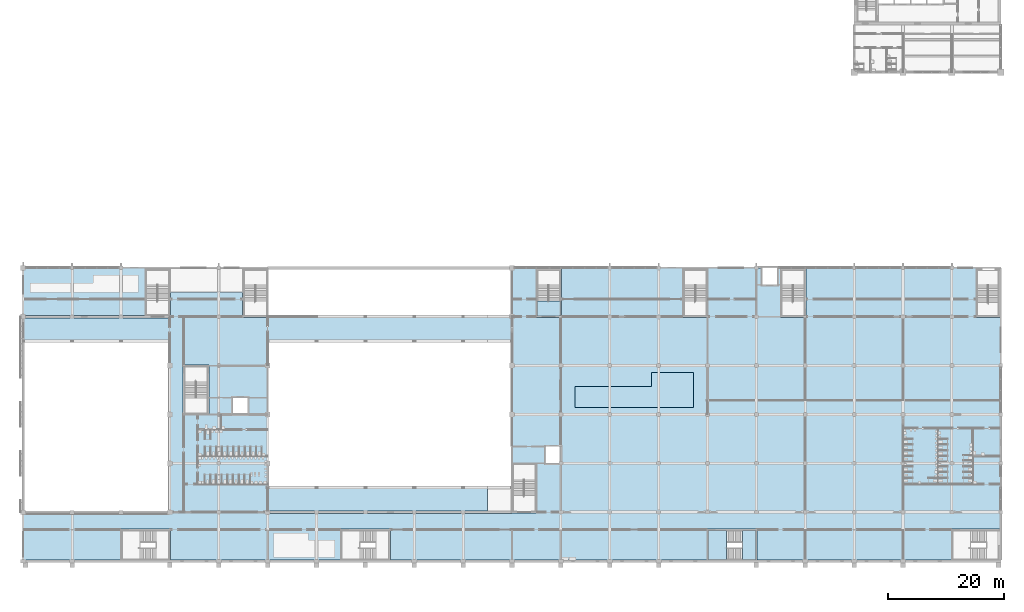
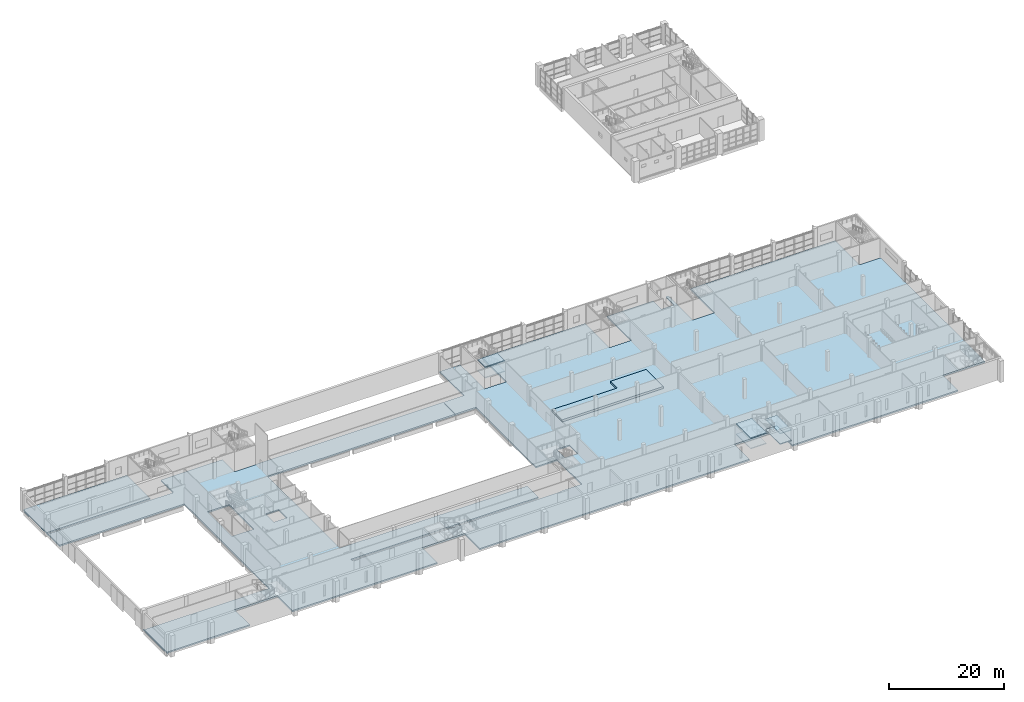
# One storey, part 16 of 64: 8 slabs, 2 elements without a shape of their own.
"""IFC4 building model written with IfcOpenShell, lengths in metres."""

from ifc_helpers import new_model, si_unit, direction, frame, origin, place, context, subcontext, project, spatial, polyline, outline, extrude, material, layer, layer_set, type_object, element, aggregate, save


model = new_model("IFC4")

# Units and contexts
model_context = context("Model", 3, precision=1e-05, world=origin(), true_north=direction((0.0, 1.0)))
body_context = subcontext(model_context, "Body", "Model", "MODEL_VIEW")
ifc_project = project(units=[si_unit("LENGTHUNIT", "METRE"), si_unit("AREAUNIT", "SQUARE_METRE"), si_unit("VOLUMEUNIT", "CUBIC_METRE"), si_unit("PLANEANGLEUNIT", "RADIAN"), si_unit("MASSUNIT", "GRAM", prefix="KILO")], contexts=[model_context])

# Site, building, storey
site_placement = place(None, origin())
site = spatial("IfcSite", under=ifc_project, at=site_placement, CompositionType="ELEMENT")
building_placement = place(site_placement, origin())
building = spatial("IfcBuilding", under=site, at=building_placement, Name="Rulbaag Community and Learning Centre", CompositionType="ELEMENT")
storey_placement = place(building_placement, frame((0.0, 0.0, 5.39990234375)))
storey = spatial("IfcBuildingStorey", under=building, at=storey_placement, Name="L01", CompositionType="ELEMENT", Elevation=5.39990234375)

# Stair, slabs
ifc_material = material(Name="Concrete M40", Category="concrete")
stair_type_1 = type_object("IfcStairType", Name="ST-2000 STAIR 2000 WIDE", PredefinedType="HALF_TURN_STAIR", material=ifc_material)
stair_1_placement = place(storey_placement, origin())
stair_1 = element("IfcStair", 1, at=stair_1_placement, inside=storey, type_object=stair_type_1, Name="Stair ST-H6 L01", PredefinedType="HALF_TURN_STAIR")
ifc_layer_1 = layer(ifc_material, 0.179931640625)
ifc_layer_set_1 = layer_set([ifc_layer_1], Name="LN-180 LANDING 180 Concrete M40")
slab_type_1 = type_object("IfcSlabType", Name="LN-180 LANDING 180 Concrete M40", PredefinedType="LANDING", material=ifc_layer_set_1)
slab_1_placement = place(storey_placement, frame((0.0, 0.0, 2.070068359375)))
slab_1 = element("IfcSlab", 2, at=slab_1_placement, type_object=slab_type_1, Name="ST-H6 landing 2", PredefinedType="LANDING", context=body_context, shape_type="SweptSolid", body=[
    extrude(outline(polyline([(88.300048828125, 42.10009765625), (88.300048828125, 44.71240234375), (92.300048828125, 44.71240234375), (92.300048828125, 42.10009765625), (88.300048828125, 42.10009765625)])), origin(), (0.0, 0.0, 1.0), 0.179931640625),
])
slab_2_placement = place(storey_placement, frame((0.0, 0.0, 4.320068359375)))
slab_2 = element("IfcSlab", 3, at=slab_2_placement, type_object=slab_type_1, Name="ST-H6 landing 4", PredefinedType="LANDING", context=body_context, shape_type="SweptSolid", body=[
    extrude(outline(polyline([(88.300048828125, 42.10009765625), (88.300048828125, 44.71240234375), (92.300048828125, 44.71240234375), (92.300048828125, 42.10009765625), (88.300048828125, 42.10009765625)])), origin(), (0.0, 0.0, 1.0), 0.179931640625),
])
aggregate(stair_1, [slab_1, slab_2])

stair_type_2 = type_object("IfcStairType", Name="ST-2100 STAIR 2100 WIDE", PredefinedType="HALF_TURN_STAIR", material=ifc_material)
stair_2_placement = place(storey_placement, origin())
stair_2 = element("IfcStair", 4, at=stair_2_placement, inside=storey, type_object=stair_type_2, Name="Stair ST-H11 L01", PredefinedType="HALF_TURN_STAIR")
slab_3_placement = place(storey_placement, frame((0.0, 0.0, 0.945068359375)))
slab_3 = element("IfcSlab", 5, at=slab_3_placement, type_object=slab_type_1, Name="ST-H11 landing 1", PredefinedType="LANDING", context=body_context, shape_type="SweptSolid", body=[
    extrude(outline(polyline([(123.60009765625, 0.22509765625), (125.89990234375, 0.22509765625), (125.89990234375, 5.300048828125), (123.60009765625, 5.300048828125), (123.60009765625, 0.22509765625)])), origin(), (0.0, 0.0, 1.0), 0.179931640625),
])
slab_4_placement = place(storey_placement, frame((0.0, 0.0, 2.070068359375)))
slab_4 = element("IfcSlab", 6, at=slab_4_placement, type_object=slab_type_1, Name="ST-H11 landing 2", PredefinedType="LANDING", context=body_context, shape_type="SweptSolid", body=[
    extrude(outline(polyline([(117.699951171875, 0.22509765625), (120.89990234375, 0.22509765625), (120.89990234375, 5.300048828125), (117.699951171875, 5.300048828125), (117.699951171875, 0.22509765625)])), origin(), (0.0, 0.0, 1.0), 0.179931640625),
])
slab_5_placement = place(storey_placement, frame((0.0, 0.0, 3.195068359375)))
slab_5 = element("IfcSlab", 7, at=slab_5_placement, type_object=slab_type_1, Name="ST-H11 landing 3", PredefinedType="LANDING", context=body_context, shape_type="SweptSolid", body=[
    extrude(outline(polyline([(123.60009765625, 0.22509765625), (125.89990234375, 0.22509765625), (125.89990234375, 5.300048828125), (123.60009765625, 5.300048828125), (123.60009765625, 0.22509765625)])), origin(), (0.0, 0.0, 1.0), 0.179931640625),
])
slab_6_placement = place(storey_placement, frame((0.0, 0.0, 4.320068359375)))
slab_6 = element("IfcSlab", 8, at=slab_6_placement, type_object=slab_type_1, Name="ST-H11 landing 4", PredefinedType="LANDING", context=body_context, shape_type="SweptSolid", body=[
    extrude(outline(polyline([(117.699951171875, 0.22509765625), (120.89990234375, 0.22509765625), (120.89990234375, 5.300048828125), (117.699951171875, 5.300048828125), (117.699951171875, 0.22509765625)])), origin(), (0.0, 0.0, 1.0), 0.179931640625),
])
aggregate(stair_2, [slab_3, slab_4, slab_5, slab_6])

# Slabs
ifc_layer_2 = layer(ifc_material, 0.449951171875)
ifc_layer_set_2 = layer_set([ifc_layer_2], Name="S25 Raised platform, library and control room 450 Concrete M40")
slab_type_2 = type_object("IfcSlabType", Name="S25 Raised platform, library and control room 450 Concrete M40", PredefinedType="USERDEFINED", material=ifc_layer_set_2)
slab_7_placement = place(storey_placement, origin())
element("IfcSlab", 9, at=slab_7_placement, inside=storey, type_object=slab_type_2, Name="SL-PLAT-READ-E", ObjectType="RAISED PLATFORM", PredefinedType="USERDEFINED", context=body_context, shape_type="SweptSolid", body=[
    extrude(outline(polyline([(94.800048828125, 26.39990234375), (115.199951171875, 26.39990234375), (115.199951171875, 32.39990234375), (108.0, 32.39990234375), (108.0, 30.0), (94.800048828125, 30.0), (94.800048828125, 26.39990234375)])), origin(), (0.0, 0.0, 1.0), 0.4501953125),
])
ifc_layer_3 = layer(ifc_material, 0.300048828125)
ifc_layer_set_3 = layer_set([ifc_layer_3], Name="S5 Floor slab 300 Concrete M40")
slab_type_3 = type_object("IfcSlabType", Name="S5 Floor slab 300 Concrete M40", PredefinedType="FLOOR", material=ifc_layer_set_3)
slab_8_placement = place(storey_placement, frame((0.0, 0.0, -0.2998046875)))
element("IfcSlab", 10, at=slab_8_placement, inside=storey, type_object=slab_type_3, Name="SL-L01-A01", PredefinedType="FLOOR", context=body_context, shape_type="SweptSolid", body=[
    extrude(outline(polyline([(25.199951171875, 37.800048828125), (0.0, 37.800048828125), (0.0, 41.68994140625), (-0.02294921875, 41.694580078125), (-0.04248046875, 41.70751953125), (-0.055419921875, 41.72705078125), (-0.06005859375, 41.75), (-0.059814453125, 42.255859375), (-0.055419921875, 42.27294921875), (-0.04248046875, 42.29248046875), (-0.02294921875, 42.305419921875), (0.0, 42.31005859375), (0.0, 50.39990234375), (20.89990234375, 50.39990234375), (20.89990234375, 42.25), (0.0, 42.25), (0.0, 41.75), (25.199951171875, 41.75), (25.199951171875, 41.89990234375), (25.300048828125, 41.89990234375), (25.300048828125, 46.175048828125), (37.699951171875, 46.175048828125), (37.699951171875, 41.89990234375), (42.10009765625, 41.89990234375), (42.10009765625, 41.989990234375), (41.89990234375, 41.989990234375), (41.88916015625, 41.990478515625), (41.87841796875, 41.9921875), (41.8681640625, 41.99462890625), (41.85791015625, 41.998291015625), (41.84814453125, 42.0029296875), (41.8388671875, 42.008544921875), (41.8369140625, 42.010009765625), (41.990478515625, 42.010009765625), (41.990478515625, 42.0107421875), (41.9921875, 42.021484375), (41.99462890625, 42.031982421875), (41.998291015625, 42.0419921875), (42.0029296875, 42.052001953125), (42.008544921875, 42.06103515625), (42.014892578125, 42.06982421875), (42.022216796875, 42.077880859375), (42.0302734375, 42.0849609375), (42.038818359375, 42.091552734375), (42.048095703125, 42.096923828125), (42.054443359375, 42.10009765625), (42.10009765625, 42.10009765625), (42.10009765625, 42.110107421875), (42.2099609375, 42.110107421875), (42.2099609375, 42.10009765625), (42.20947265625, 42.089111328125), (42.2080078125, 42.07861328125), (42.205322265625, 42.068115234375), (42.20166015625, 42.057861328125), (42.197021484375, 42.048095703125), (42.19140625, 42.038818359375), (42.18505859375, 42.0302734375), (42.177734375, 42.022216796875), (42.169921875, 42.014892578125), (42.1611328125, 42.008544921875), (42.15185546875, 42.0029296875), (42.1455078125, 42.0), (79.77490234375, 42.0), (79.77490234375, 37.800048828125), (42.0, 37.800048828125), (42.0, 12.60009765625), (79.77490234375, 12.60009765625), (79.77490234375, 8.64990234375), (42.0, 8.64990234375), (42.0, 8.14990234375), (84.0, 8.14990234375), (84.0, 8.300048828125), (88.300048828125, 8.300048828125), (88.300048828125, 16.89990234375), (84.0, 16.89990234375), (84.0, 37.800048828125), (79.824951171875, 37.800048828125), (79.824951171875, 42.0), (84.0, 42.0), (84.0, 50.4599609375), (84.06005859375, 50.4599609375), (84.06005859375, 50.39990234375), (88.10009765625, 50.39990234375), (88.10009765625, 41.89990234375), (92.5, 41.89990234375), (92.5, 50.39990234375), (113.300048828125, 50.39990234375), (113.300048828125, 41.89990234375), (117.699951171875, 41.89990234375), (117.699951171875, 50.39990234375), (127.0, 50.39990234375), (127.0, 47.5), (129.60009765625, 47.5), (129.60009765625, 50.39990234375), (130.10009765625, 50.39990234375), (130.10009765625, 41.89990234375), (134.5, 41.89990234375), (134.5, 50.39990234375), (163.699951171875, 50.39990234375), (163.699951171875, 41.89990234375), (168.0, 41.89990234375), (168.0, 5.5), (159.5, 5.5), (159.5, 0.22509765625), (126.10009765625, 0.22509765625), (126.10009765625, 5.5), (117.5, 5.5), (117.5, 0.22509765625), (63.10009765625, 0.22509765625), (63.10009765625, 5.5), (54.5, 5.5), (54.5, 0.22509765625), (25.300048828125, 0.22509765625), (25.300048828125, 5.5), (16.699951171875, 5.5), (16.699951171875, 0.22509765625), (0.0, 0.22509765625), (0.0, -0.06005859375), (-0.017333984375, -0.057373046875), (-0.0380859375, -0.04638671875), (-0.0498046875, -0.033203125), (-0.057373046875, -0.017333984375), (-0.06005859375, 0.0), (-0.058837890625, 0.23681640625), (-0.052978515625, 0.25341796875), (-0.0380859375, 0.271484375), (-0.02294921875, 0.280517578125), (0.0, 0.284912109375), (0.0, 8.090087890625), (-0.02294921875, 8.094482421875), (-0.04248046875, 8.107666015625), (-0.055419921875, 8.126953125), (-0.06005859375, 8.14990234375), (-0.059814453125, 8.406005859375), (-0.055419921875, 8.423095703125), (-0.04638671875, 8.43798828125), (-0.033203125, 8.449951171875), (-0.017333984375, 8.45751953125), (0.0, 8.4599609375), (0.0, 8.14990234375), (25.199951171875, 8.14990234375), (25.199951171875, 37.800048828125)]), holes=[polyline([(89.800048828125, 16.800048828125), (92.39990234375, 16.800048828125), (92.39990234375, 19.699951171875), (89.800048828125, 19.699951171875), (89.800048828125, 16.800048828125)]), polyline([(36.0, 25.199951171875), (38.60009765625, 25.199951171875), (38.60009765625, 28.10009765625), (36.0, 28.10009765625), (36.0, 25.199951171875)]), polyline([(27.5, 25.10009765625), (31.89990234375, 25.10009765625), (31.89990234375, 33.699951171875), (27.5, 33.699951171875), (27.5, 25.10009765625)])]), origin(), (0.0, 0.0, 1.0), 0.2998046875),
])

save(model, "model.ifc")
